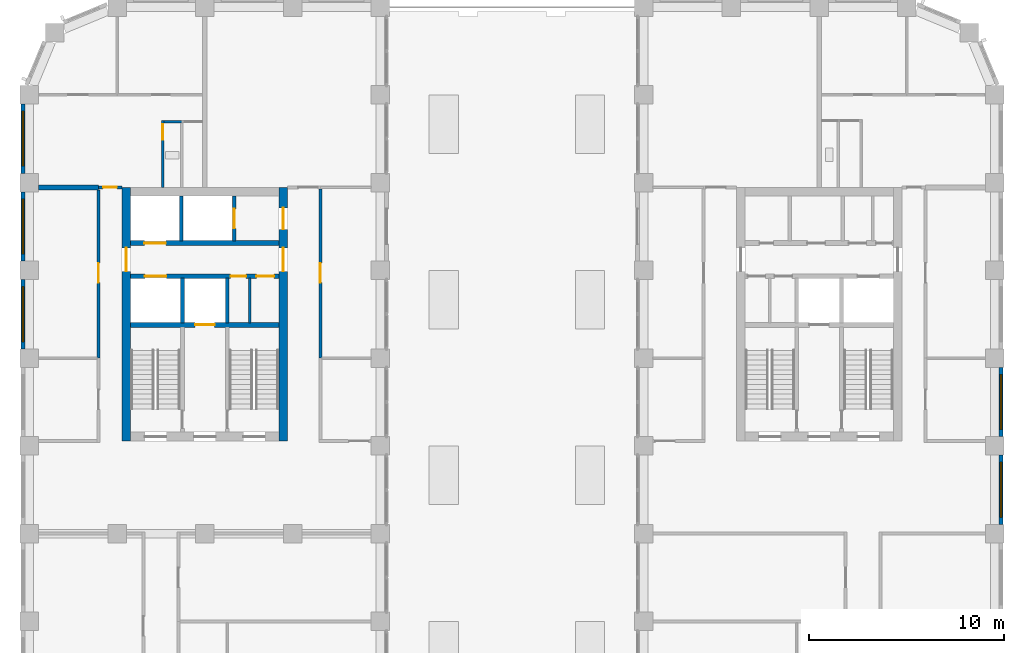
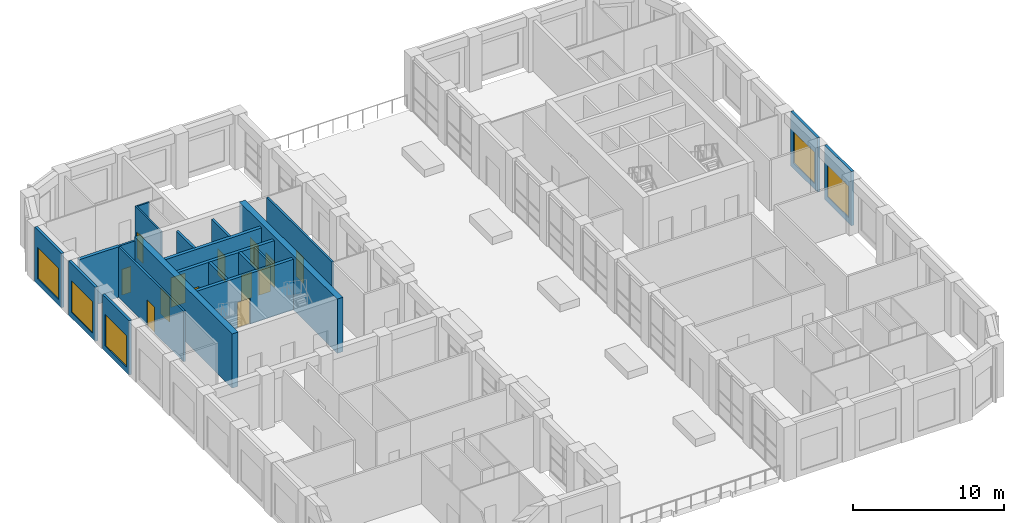
# One storey, part 13 of 20: 21 walls, 13 doors, 5 windows, 18 openings.
"""IFC4 building model written with IfcOpenShell, lengths in metres."""

from ifc_helpers import new_model, si_unit, direction, frame, frame_2d, origin, place, context, subcontext, project, spatial, rectangle, extrude, material, layer, layer_set, type_object, element, fill, save


model = new_model("IFC4")

# Units and contexts
model_context = context("Model", 3, precision=1e-05, world=origin(), true_north=direction((0.0, 1.0)))
body_context = subcontext(model_context, "Body", "Model", "MODEL_VIEW")
ifc_project = project(units=[si_unit("LENGTHUNIT", "METRE"), si_unit("AREAUNIT", "SQUARE_METRE"), si_unit("VOLUMEUNIT", "CUBIC_METRE"), si_unit("PLANEANGLEUNIT", "RADIAN"), si_unit("MASSUNIT", "GRAM", prefix="KILO")], contexts=[model_context])

# Site, building, storey
site_placement = place(None, origin())
site = spatial("IfcSite", under=ifc_project, at=site_placement, CompositionType="ELEMENT")
building_placement = place(site_placement, origin())
building = spatial("IfcBuilding", under=site, at=building_placement, Name="Girih Gate Residences", CompositionType="ELEMENT")
storey_placement = place(building_placement, frame((0.0, 0.0, 146.199951171875)))
storey = spatial("IfcBuildingStorey", under=building, at=storey_placement, Name="L41", CompositionType="ELEMENT", Elevation=146.199951171875)

# Wall
ifc_material_1 = material(Name="Gypsum board on steel studs", Category="steel")
ifc_layer_1 = layer(ifc_material_1, 0.25)
ifc_layer_set_1 = layer_set([ifc_layer_1], Name="Acoustic separating wall 250 mm")
wall_type_1 = type_object("IfcWallType", Name="Acoustic separating wall 250 mm", PredefinedType="PARTITIONING", material=ifc_layer_set_1)
wall_1_placement = place(storey_placement, frame((0.47509765625, 40.25, 0.0), z_axis=(0.0, 0.0, 1.0), x_axis=(1.0, 0.0, 0.0)))
element("IfcWall", 1, at=wall_1_placement, inside=storey, type_object=wall_type_1, Name="L41 partition", PredefinedType="PARTITIONING", context=body_context, shape_type="SweptSolid", body=[
    extrude(rectangle(XDim=3.074951171875, YDim=0.25, at=frame_2d((1.53759765625, 0.0))), origin(), (0.0, 0.0, 1.0), 4.10009765625),
])

# Wall, opening, door
ifc_layer_2 = layer(ifc_material_1, 0.14990234375)
ifc_layer_set_2 = layer_set([ifc_layer_2], Name="Compartment wall 150 mm")
wall_type_2 = type_object("IfcWallType", Name="Compartment wall 150 mm", PredefinedType="PARTITIONING", material=ifc_layer_set_2)
wall_2_placement = place(storey_placement, frame((3.550048828125, 40.25, 0.0), z_axis=(0.0, 0.0, 1.0), x_axis=(1.0, 0.0, 0.0)))
wall_2 = element("IfcWall", 2, at=wall_2_placement, inside=storey, type_object=wall_type_2, Name="L41 partition", PredefinedType="PARTITIONING", context=body_context, shape_type="SweptSolid", body=[
    extrude(rectangle(XDim=1.199951171875, YDim=0.14990234375, at=frame_2d((0.60009765625, 0.0))), origin(), (0.0, 0.0, 1.0), 4.10009765625),
])
opening_1_placement = place(wall_2_placement, frame((0.239990234375, 0.0, 0.0)))
opening_1 = element("IfcOpeningElement", 3, at=opening_1_placement, cuts=wall_2, Name="Opening A41-011", PredefinedType="OPENING", context=body_context, shape_type="SweptSolid", body=[
    extrude(rectangle(XDim=0.699951171875, YDim=2.10009765625, at=frame_2d((0.35009765625, 1.050048828125))), frame((0.0, 0.0849609375, 0.0), z_axis=(0.0, -1.0, 0.0), x_axis=(1.0, 0.0, 0.0)), (0.0, 0.0, 1.0), 0.169921875),
])
ifc_material_2 = material(Name="Timber", Category="wood")
door_type_1 = type_object("IfcDoorType", Name="Narrow door 700x2100", OperationType="NOTDEFINED", PredefinedType="DOOR", material=ifc_material_2)
door_1_placement = place(opening_1_placement, origin())
door_1 = element("IfcDoor", 4, at=door_1_placement, inside=storey, type_object=door_type_1, Name="Door A41-011", OperationType="SINGLE_SWING_LEFT", OverallHeight=2.10009765625, OverallWidth=0.699951171875, PredefinedType="DOOR", context=body_context, shape_type="SweptSolid", body=[
    extrude(rectangle(XDim=0.699951171875, YDim=2.10009765625, at=frame_2d((0.35009765625, 1.050048828125))), frame((0.0, 0.02490234375, 0.0), z_axis=(0.0, -1.0, 0.0), x_axis=(1.0, 0.0, 0.0)), (0.0, 0.0, 1.0), 0.050048828125),
])
fill(opening_1, door_1)

wall_3_placement = place(storey_placement, frame((14.925048828125, 40.175048828125, 0.0), z_axis=(0.0, 0.0, 1.0), x_axis=(0.0, -1.0, 0.0)))
wall_3 = element("IfcWall", 5, at=wall_3_placement, inside=storey, type_object=wall_type_2, Name="L41 partition", PredefinedType="PARTITIONING", context=body_context, shape_type="SweptSolid", body=[
    extrude(rectangle(XDim=8.675048828125, YDim=0.14990234375, at=frame_2d((4.33740234375, 0.0))), origin(), (0.0, 0.0, 1.0), 4.10009765625),
])
opening_2_placement = place(wall_3_placement, frame((3.800048828125, 0.0, 0.0)))
opening_2 = element("IfcOpeningElement", 6, at=opening_2_placement, cuts=wall_3, Name="Opening A41-040", PredefinedType="OPENING", context=body_context, shape_type="SweptSolid", body=[
    extrude(rectangle(XDim=1.0, YDim=2.10009765625, at=frame_2d((0.5, 1.050048828125))), frame((0.0, 0.0849609375, 0.0), z_axis=(0.0, -1.0, 0.0), x_axis=(1.0, 0.0, 0.0)), (0.0, 0.0, 1.0), 0.169921875),
])
ifc_material_3 = material(Name="Timber, fire-rated core", Category="wood")
door_type_2 = type_object("IfcDoorType", Name="Amenity room door 1000x2100 FD30S", OperationType="NOTDEFINED", PredefinedType="DOOR", material=ifc_material_3)
door_2_placement = place(opening_2_placement, origin())
door_2 = element("IfcDoor", 7, at=door_2_placement, inside=storey, type_object=door_type_2, Name="Door A41-040", OperationType="SINGLE_SWING_LEFT", OverallHeight=2.10009765625, OverallWidth=1.0, PredefinedType="DOOR", context=body_context, shape_type="SweptSolid", body=[
    extrude(rectangle(XDim=1.0, YDim=2.10009765625, at=frame_2d((0.5, 1.050048828125))), frame((0.0, 0.02490234375, 0.0), z_axis=(0.0, -1.0, 0.0), x_axis=(1.0, 0.0, 0.0)), (0.0, 0.0, 1.0), 0.050048828125),
])
fill(opening_2, door_2)

wall_4_placement = place(storey_placement, frame((3.550048828125, 31.5, 0.0), z_axis=(0.0, 0.0, 1.0), x_axis=(0.0, 1.0, 0.0)))
wall_4 = element("IfcWall", 8, at=wall_4_placement, inside=storey, type_object=wall_type_2, Name="L41 partition", PredefinedType="PARTITIONING", context=body_context, shape_type="SweptSolid", body=[
    extrude(rectangle(XDim=8.625, YDim=0.14990234375, at=frame_2d((4.3125, 0.0))), origin(), (0.0, 0.0, 1.0), 4.10009765625),
])
opening_3_placement = place(wall_4_placement, frame((3.875, 0.0, 0.0)))
opening_3 = element("IfcOpeningElement", 9, at=opening_3_placement, cuts=wall_4, Name="Opening A41-042", PredefinedType="OPENING", context=body_context, shape_type="SweptSolid", body=[
    extrude(rectangle(XDim=1.0, YDim=2.10009765625, at=frame_2d((0.5, 1.050048828125))), frame((0.0, 0.0849609375, 0.0), z_axis=(0.0, -1.0, 0.0), x_axis=(1.0, 0.0, 0.0)), (0.0, 0.0, 1.0), 0.169921875),
])
door_3_placement = place(opening_3_placement, origin())
door_3 = element("IfcDoor", 10, at=door_3_placement, inside=storey, type_object=door_type_2, Name="Door A41-042", OperationType="SINGLE_SWING_RIGHT", OverallHeight=2.10009765625, OverallWidth=1.0, PredefinedType="DOOR", context=body_context, shape_type="SweptSolid", body=[
    extrude(rectangle(XDim=1.0, YDim=2.10009765625, at=frame_2d((0.5, 1.050048828125))), frame((0.0, 0.02490234375, 0.0), z_axis=(0.0, -1.0, 0.0), x_axis=(1.0, 0.0, 0.0)), (0.0, 0.0, 1.0), 0.050048828125),
])
fill(opening_3, door_3)

ifc_material_4 = material(Name="Concrete C60/75", Category="concrete")
ifc_layer_3 = layer(ifc_material_4, 0.449951171875)
ifc_layer_set_3 = layer_set([ifc_layer_3], Name="Core wall RC 450 Concrete C60/75")
wall_type_3 = type_object("IfcWallType", Name="Core wall RC 450 Concrete C60/75", PredefinedType="SOLIDWALL", material=ifc_layer_set_3)
wall_5_placement = place(storey_placement, frame((4.97509765625, 27.25, 0.0), z_axis=(0.0, 0.0, 1.0), x_axis=(0.0, 1.0, 0.0)))
wall_5 = element("IfcWall", 11, at=wall_5_placement, inside=storey, type_object=wall_type_3, Name="Core wall W-W L41", PredefinedType="SOLIDWALL", context=body_context, shape_type="SweptSolid", body=[
    extrude(rectangle(XDim=13.0, YDim=0.449951171875, at=frame_2d((6.5, 0.0))), origin(), (0.0, 0.0, 1.0), 4.400146484375),
])
opening_4_placement = place(wall_5_placement, frame((8.699951171875, 0.0, 0.0)))
opening_4 = element("IfcOpeningElement", 12, at=opening_4_placement, cuts=wall_5, Name="Opening D-L41-W-013", PredefinedType="OPENING", context=body_context, shape_type="SweptSolid", body=[
    extrude(rectangle(XDim=1.199951171875, YDim=2.10009765625, at=frame_2d((0.60009765625, 1.050048828125))), frame((0.0, 0.23486328125, 0.0), z_axis=(0.0, -1.0, 0.0), x_axis=(1.0, 0.0, 0.0)), (0.0, 0.0, 1.0), 0.469970703125),
])
ifc_material_5 = material(Name="Painted steel, fire-resisting", Category="steel")
door_type_3 = type_object("IfcDoorType", Name="Fire door 1200x2100", OperationType="SINGLE_SWING_LEFT", PredefinedType="DOOR", material=ifc_material_5)
door_4_placement = place(opening_4_placement, origin())
door_4 = element("IfcDoor", 13, at=door_4_placement, inside=storey, type_object=door_type_3, Name="L41 W core door ll-w", OperationType="SINGLE_SWING_LEFT", OverallHeight=2.10009765625, OverallWidth=1.199951171875, PredefinedType="DOOR", context=body_context, shape_type="SweptSolid", body=[
    extrude(rectangle(XDim=1.199951171875, YDim=2.10009765625, at=frame_2d((0.60009765625, 1.050048828125))), frame((0.0, 0.02490234375, 0.0), z_axis=(0.0, -1.0, 0.0), x_axis=(1.0, 0.0, 0.0)), (0.0, 0.0, 1.0), 0.050048828125),
])
fill(opening_4, door_4)

# Wall, openings, doors
wall_6_placement = place(storey_placement, frame((13.02490234375, 27.25, 0.0), z_axis=(0.0, 0.0, 1.0), x_axis=(0.0, 1.0, 0.0)))
wall_6 = element("IfcWall", 14, at=wall_6_placement, inside=storey, type_object=wall_type_3, Name="Core wall W-E L41", PredefinedType="SOLIDWALL", context=body_context, shape_type="SweptSolid", body=[
    extrude(rectangle(XDim=13.0, YDim=0.449951171875, at=frame_2d((6.5, 0.0))), origin(), (0.0, 0.0, 1.0), 4.400146484375),
])
opening_5_placement = place(wall_6_placement, frame((10.85009765625, 0.0, 0.0)))
opening_5 = element("IfcOpeningElement", 15, at=opening_5_placement, cuts=wall_6, Name="Opening D-L41-W-012", PredefinedType="OPENING", context=body_context, shape_type="SweptSolid", body=[
    extrude(rectangle(XDim=1.10009765625, YDim=2.10009765625, at=frame_2d((0.550048828125, 1.050048828125))), frame((0.0, 0.23486328125, 0.0), z_axis=(0.0, -1.0, 0.0), x_axis=(1.0, 0.0, 0.0)), (0.0, 0.0, 1.0), 0.469970703125),
])
opening_6_placement = place(wall_6_placement, frame((8.699951171875, 0.0, 0.0)))
opening_6 = element("IfcOpeningElement", 16, at=opening_6_placement, cuts=wall_6, Name="Opening D-L41-W-014", PredefinedType="OPENING", context=body_context, shape_type="SweptSolid", body=[
    extrude(rectangle(XDim=1.199951171875, YDim=2.10009765625, at=frame_2d((0.60009765625, 1.050048828125))), frame((0.0, 0.23486328125, 0.0), z_axis=(0.0, -1.0, 0.0), x_axis=(1.0, 0.0, 0.0)), (0.0, 0.0, 1.0), 0.469970703125),
])
door_type_4 = type_object("IfcDoorType", Name="Fire door 1100x2100", OperationType="SINGLE_SWING_LEFT", PredefinedType="DOOR", material=ifc_material_5)
door_5_placement = place(opening_5_placement, origin())
door_5 = element("IfcDoor", 17, at=door_5_placement, inside=storey, type_object=door_type_4, Name="L41 W core door ffl2-e", OperationType="SINGLE_SWING_LEFT", OverallHeight=2.10009765625, OverallWidth=1.10009765625, PredefinedType="DOOR", context=body_context, shape_type="SweptSolid", body=[
    extrude(rectangle(XDim=1.10009765625, YDim=2.10009765625, at=frame_2d((0.550048828125, 1.050048828125))), frame((0.0, 0.02490234375, 0.0), z_axis=(0.0, -1.0, 0.0), x_axis=(1.0, 0.0, 0.0)), (0.0, 0.0, 1.0), 0.050048828125),
])
fill(opening_5, door_5)
door_6_placement = place(opening_6_placement, origin())
door_6 = element("IfcDoor", 18, at=door_6_placement, inside=storey, type_object=door_type_3, Name="L41 W core door ll-e", OperationType="SINGLE_SWING_LEFT", OverallHeight=2.10009765625, OverallWidth=1.199951171875, PredefinedType="DOOR", context=body_context, shape_type="SweptSolid", body=[
    extrude(rectangle(XDim=1.199951171875, YDim=2.10009765625, at=frame_2d((0.60009765625, 1.050048828125))), frame((0.0, 0.02490234375, 0.0), z_axis=(0.0, -1.0, 0.0), x_axis=(1.0, 0.0, 0.0)), (0.0, 0.0, 1.0), 0.050048828125),
])
fill(opening_6, door_6)

# Wall, opening, door
ifc_material_6 = material(Name="Concrete C40/50", Category="concrete")
ifc_layer_4 = layer(ifc_material_6, 0.25)
ifc_layer_set_4 = layer_set([ifc_layer_4], Name="Lift shaft wall 250")
wall_type_4 = type_object("IfcWallType", Name="Lift shaft wall 250", PredefinedType="SOLIDWALL", material=ifc_layer_set_4)
wall_7_placement = place(storey_placement, frame((5.199951171875, 33.199951171875, 0.0), z_axis=(0.0, 0.0, 1.0), x_axis=(1.0, 0.0, 0.0)))
wall_7 = element("IfcWall", 19, at=wall_7_placement, inside=storey, type_object=wall_type_4, Name="L41 W core wall H1", PredefinedType="SOLIDWALL", context=body_context, shape_type="SweptSolid", body=[
    extrude(rectangle(XDim=7.60009765625, YDim=0.25, at=frame_2d((3.800048828125, 0.0))), origin(), (0.0, 0.0, 1.0), 4.10009765625),
])
opening_7_placement = place(wall_7_placement, frame((3.300048828125, 0.0, 0.0)))
opening_7 = element("IfcOpeningElement", 20, at=opening_7_placement, cuts=wall_7, Name="Opening D-L41-W-006", PredefinedType="OPENING", context=body_context, shape_type="SweptSolid", body=[
    extrude(rectangle(XDim=1.0, YDim=2.10009765625, at=frame_2d((0.5, 1.050048828125))), frame((0.0, 0.135009765625, 0.0), z_axis=(0.0, -1.0, 0.0), x_axis=(1.0, 0.0, 0.0)), (0.0, 0.0, 1.0), 0.27001953125),
])
ifc_material_7 = material(Name="Stainless steel, fire-resisting", Category="steel")
door_type_5 = type_object("IfcDoorType", Name="Firefighting lift landing door 1000x2100", OperationType="SLIDING_TO_LEFT", PredefinedType="DOOR", material=ifc_material_7)
door_7_placement = place(opening_7_placement, origin())
door_7 = element("IfcDoor", 21, at=door_7_placement, inside=storey, type_object=door_type_5, Name="L41 lift FF-W landing door", OperationType="SLIDING_TO_LEFT", OverallHeight=2.10009765625, OverallWidth=1.0, PredefinedType="DOOR", context=body_context, shape_type="SweptSolid", body=[
    extrude(rectangle(XDim=1.0, YDim=2.10009765625, at=frame_2d((0.5, 1.050048828125))), frame((0.0, 0.02490234375, 0.0), z_axis=(0.0, -1.0, 0.0), x_axis=(1.0, 0.0, 0.0)), (0.0, 0.0, 1.0), 0.050048828125),
])
fill(opening_7, door_7)

# Wall, openings, doors
wall_8_placement = place(storey_placement, frame((5.199951171875, 35.699951171875, 0.0), z_axis=(0.0, 0.0, 1.0), x_axis=(1.0, 0.0, 0.0)))
wall_8 = element("IfcWall", 22, at=wall_8_placement, inside=storey, type_object=wall_type_4, Name="L41 W core wall H2", PredefinedType="SOLIDWALL", context=body_context, shape_type="SweptSolid", body=[
    extrude(rectangle(XDim=7.60009765625, YDim=0.25, at=frame_2d((3.800048828125, 0.0))), origin(), (0.0, 0.0, 1.0), 4.10009765625),
])
opening_8_placement = place(wall_8_placement, frame((0.72509765625, 0.0, 0.0)))
opening_8 = element("IfcOpeningElement", 23, at=opening_8_placement, cuts=wall_8, Name="Opening D-L41-W-005", PredefinedType="OPENING", context=body_context, shape_type="SweptSolid", body=[
    extrude(rectangle(XDim=1.10009765625, YDim=2.39990234375, at=frame_2d((0.550048828125, 1.199951171875))), frame((0.0, 0.135009765625, 0.0), z_axis=(0.0, -1.0, 0.0), x_axis=(1.0, 0.0, 0.0)), (0.0, 0.0, 1.0), 0.27001953125),
])
opening_9_placement = place(wall_8_placement, frame((5.125, 0.0, 0.0)))
opening_9 = element("IfcOpeningElement", 24, at=opening_9_placement, cuts=wall_8, Name="Opening D-L41-W-007", PredefinedType="OPENING", context=body_context, shape_type="SweptSolid", body=[
    extrude(rectangle(XDim=0.800048828125, YDim=2.10009765625, at=frame_2d((0.39990234375, 1.050048828125))), frame((0.0, 0.135009765625, 0.0), z_axis=(0.0, -1.0, 0.0), x_axis=(1.0, 0.0, 0.0)), (0.0, 0.0, 1.0), 0.27001953125),
])
opening_10_placement = place(wall_8_placement, frame((6.449951171875, 0.0, 0.0)))
opening_10 = element("IfcOpeningElement", 25, at=opening_10_placement, cuts=wall_8, Name="Opening D-L41-W-008", PredefinedType="OPENING", context=body_context, shape_type="SweptSolid", body=[
    extrude(rectangle(XDim=0.89990234375, YDim=2.10009765625, at=frame_2d((0.449951171875, 1.050048828125))), frame((0.0, 0.135009765625, 0.0), z_axis=(0.0, -1.0, 0.0), x_axis=(1.0, 0.0, 0.0)), (0.0, 0.0, 1.0), 0.27001953125),
])
door_type_6 = type_object("IfcDoorType", Name="Fire door 800x2100", OperationType="SINGLE_SWING_LEFT", PredefinedType="DOOR", material=ifc_material_5)
door_8_placement = place(opening_9_placement, origin())
door_8 = element("IfcDoor", 26, at=door_8_placement, inside=storey, type_object=door_type_6, Name="L41 W linen store door", OperationType="SINGLE_SWING_LEFT", OverallHeight=2.10009765625, OverallWidth=0.800048828125, PredefinedType="DOOR", context=body_context, shape_type="SweptSolid", body=[
    extrude(rectangle(XDim=0.800048828125, YDim=2.10009765625, at=frame_2d((0.39990234375, 1.050048828125))), frame((0.0, 0.02490234375, 0.0), z_axis=(0.0, -1.0, 0.0), x_axis=(1.0, 0.0, 0.0)), (0.0, 0.0, 1.0), 0.050048828125),
])
fill(opening_9, door_8)
door_type_7 = type_object("IfcDoorType", Name="Fire door 900x2100", OperationType="SINGLE_SWING_LEFT", PredefinedType="DOOR", material=ifc_material_5)
door_9_placement = place(opening_10_placement, origin())
door_9 = element("IfcDoor", 27, at=door_9_placement, inside=storey, type_object=door_type_7, Name="L41 W housekeeping store door", OperationType="SINGLE_SWING_LEFT", OverallHeight=2.10009765625, OverallWidth=0.89990234375, PredefinedType="DOOR", context=body_context, shape_type="SweptSolid", body=[
    extrude(rectangle(XDim=0.89990234375, YDim=2.10009765625, at=frame_2d((0.449951171875, 1.050048828125))), frame((0.0, 0.02490234375, 0.0), z_axis=(0.0, -1.0, 0.0), x_axis=(1.0, 0.0, 0.0)), (0.0, 0.0, 1.0), 0.050048828125),
])
fill(opening_10, door_9)
ifc_material_8 = material(Name="Stainless steel", Category="steel")
door_type_8 = type_object("IfcDoorType", Name="Lift landing door 1100x2400", OperationType="SLIDING_TO_LEFT", PredefinedType="DOOR", material=ifc_material_8)
door_10_placement = place(opening_8_placement, origin())
door_10 = element("IfcDoor", 28, at=door_10_placement, inside=storey, type_object=door_type_8, Name="L41 lift HR-W1 landing door", OperationType="SLIDING_TO_LEFT", OverallHeight=2.39990234375, OverallWidth=1.10009765625, PredefinedType="DOOR", context=body_context, shape_type="SweptSolid", body=[
    extrude(rectangle(XDim=1.10009765625, YDim=2.39990234375, at=frame_2d((0.550048828125, 1.199951171875))), frame((0.0, 0.02490234375, 0.0), z_axis=(0.0, -1.0, 0.0), x_axis=(1.0, 0.0, 0.0)), (0.0, 0.0, 1.0), 0.050048828125),
])
fill(opening_8, door_10)

# Wall, opening, door
wall_9_placement = place(storey_placement, frame((5.199951171875, 37.39990234375, 0.0), z_axis=(0.0, 0.0, 1.0), x_axis=(1.0, 0.0, 0.0)))
wall_9 = element("IfcWall", 29, at=wall_9_placement, inside=storey, type_object=wall_type_4, Name="L41 W core wall H3", PredefinedType="SOLIDWALL", context=body_context, shape_type="SweptSolid", body=[
    extrude(rectangle(XDim=7.60009765625, YDim=0.25, at=frame_2d((3.800048828125, 0.0))), origin(), (0.0, 0.0, 1.0), 4.10009765625),
])
opening_11_placement = place(wall_9_placement, frame((0.699951171875, 0.0, 0.0)))
opening_11 = element("IfcOpeningElement", 30, at=opening_11_placement, cuts=wall_9, Name="Opening D-L41-W-003", PredefinedType="OPENING", context=body_context, shape_type="SweptSolid", body=[
    extrude(rectangle(XDim=1.10009765625, YDim=2.39990234375, at=frame_2d((0.550048828125, 1.199951171875))), frame((0.0, 0.135009765625, 0.0), z_axis=(0.0, -1.0, 0.0), x_axis=(1.0, 0.0, 0.0)), (0.0, 0.0, 1.0), 0.27001953125),
])
door_11_placement = place(opening_11_placement, origin())
door_11 = element("IfcDoor", 31, at=door_11_placement, inside=storey, type_object=door_type_8, Name="L41 lift LR-W1 landing door", OperationType="SLIDING_TO_LEFT", OverallHeight=2.39990234375, OverallWidth=1.10009765625, PredefinedType="DOOR", context=body_context, shape_type="SweptSolid", body=[
    extrude(rectangle(XDim=1.10009765625, YDim=2.39990234375, at=frame_2d((0.550048828125, 1.199951171875))), frame((0.0, 0.02490234375, 0.0), z_axis=(0.0, -1.0, 0.0), x_axis=(1.0, 0.0, 0.0)), (0.0, 0.0, 1.0), 0.050048828125),
])
fill(opening_11, door_11)

# Wall, opening, window
ifc_material_9 = material(Name="Precast concrete C50/60", Category="concrete")
ifc_layer_5 = layer(ifc_material_9, 0.06005859375, Name="Outer leaf")
ifc_material_10 = material(Name="Rigid PIR insulation")
ifc_layer_6 = layer(ifc_material_10, 0.090087890625, Name="Insulation")
ifc_material_11 = material(Name="Precast concrete C40/50", Category="concrete")
ifc_layer_7 = layer(ifc_material_11, 0.050048828125, Name="Inner leaf")
ifc_layer_set_5 = layer_set([ifc_layer_5, ifc_layer_6, ifc_layer_7], Name="Precast concrete C50/60 external wall 200")
wall_type_5 = type_object("IfcWallType", Name="Precast concrete C50/60 external wall 200", PredefinedType="SOLIDWALL", material=ifc_layer_set_5)
wall_10_placement = place(storey_placement, frame((-0.324951171875, 40.97509765625, 0.0), z_axis=(0.0, 0.0, 1.0), x_axis=(0.0, 1.0, 0.0)))
wall_10 = element("IfcWall", 32, at=wall_10_placement, inside=storey, type_object=wall_type_5, Name="External wall W0000_0450.0", PredefinedType="SOLIDWALL", context=body_context, shape_type="SweptSolid", body=[
    extrude(rectangle(XDim=3.5498046875, YDim=0.199951171875, at=frame_2d((1.77490234375, 0.0))), origin(), (0.0, 0.0, 1.0), 4.400146484375),
])
opening_12_placement = place(wall_10_placement, frame((0.375, 0.0, 0.449951171875)))
opening_12 = element("IfcOpeningElement", 33, at=opening_12_placement, cuts=wall_10, Name="Opening W-6A", PredefinedType="OPENING", context=body_context, shape_type="SweptSolid", body=[
    extrude(rectangle(XDim=2.800048828125, YDim=2.550048828125, at=frame_2d((1.39990234375, 1.27490234375))), frame((0.0, 0.10986328125, 0.0), z_axis=(0.0, -1.0, 0.0), x_axis=(1.0, 0.0, 0.0)), (0.0, 0.0, 1.0), 0.219970703125),
])
ifc_material_12 = material(Name="Double glazing in aluminium frame", Category="aluminium")
window_type = type_object("IfcWindowType", Name="Window W-6A 2800x2550", PartitioningType="SINGLE_PANEL", PredefinedType="WINDOW", material=ifc_material_12)
window_1_placement = place(opening_12_placement, origin())
window_1 = element("IfcWindow", 34, at=window_1_placement, inside=storey, type_object=window_type, Name="Window W-6A W0000_0450.0", OverallHeight=2.550048828125, OverallWidth=2.800048828125, PartitioningType="SINGLE_PANEL", PredefinedType="WINDOW", context=body_context, shape_type="SweptSolid", body=[
    extrude(rectangle(XDim=2.800048828125, YDim=2.550048828125, at=frame_2d((1.39990234375, 1.27490234375))), frame((0.0, 0.030029296875, 0.0), z_axis=(0.0, -1.0, 0.0), x_axis=(1.0, 0.0, 0.0)), (0.0, 0.0, 1.0), 0.06005859375),
])
fill(opening_12, window_1)

wall_11_placement = place(storey_placement, frame((-0.324951171875, 36.47509765625, 0.0), z_axis=(0.0, 0.0, 1.0), x_axis=(0.0, 1.0, 0.0)))
wall_11 = element("IfcWall", 35, at=wall_11_placement, inside=storey, type_object=wall_type_5, Name="External wall W0000_0450.1", PredefinedType="SOLIDWALL", context=body_context, shape_type="SweptSolid", body=[
    extrude(rectangle(XDim=3.5498046875, YDim=0.199951171875, at=frame_2d((1.77490234375, 0.0))), origin(), (0.0, 0.0, 1.0), 4.400146484375),
])
opening_13_placement = place(wall_11_placement, frame((0.375, 0.0, 0.449951171875)))
opening_13 = element("IfcOpeningElement", 36, at=opening_13_placement, cuts=wall_11, Name="Opening W-6A", PredefinedType="OPENING", context=body_context, shape_type="SweptSolid", body=[
    extrude(rectangle(XDim=2.800048828125, YDim=2.550048828125, at=frame_2d((1.39990234375, 1.27490234375))), frame((0.0, 0.10986328125, 0.0), z_axis=(0.0, -1.0, 0.0), x_axis=(1.0, 0.0, 0.0)), (0.0, 0.0, 1.0), 0.219970703125),
])
window_2_placement = place(opening_13_placement, origin())
window_2 = element("IfcWindow", 37, at=window_2_placement, inside=storey, type_object=window_type, Name="Window W-6A W0000_0450.1", OverallHeight=2.550048828125, OverallWidth=2.800048828125, PartitioningType="SINGLE_PANEL", PredefinedType="WINDOW", context=body_context, shape_type="SweptSolid", body=[
    extrude(rectangle(XDim=2.800048828125, YDim=2.550048828125, at=frame_2d((1.39990234375, 1.27490234375))), frame((0.0, 0.030029296875, 0.0), z_axis=(0.0, -1.0, 0.0), x_axis=(1.0, 0.0, 0.0)), (0.0, 0.0, 1.0), 0.06005859375),
])
fill(opening_13, window_2)

wall_12_placement = place(storey_placement, frame((-0.324951171875, 31.97509765625, 0.0), z_axis=(0.0, 0.0, 1.0), x_axis=(0.0, 1.0, 0.0)))
wall_12 = element("IfcWall", 38, at=wall_12_placement, inside=storey, type_object=wall_type_5, Name="External wall W0000_0450.2", PredefinedType="SOLIDWALL", context=body_context, shape_type="SweptSolid", body=[
    extrude(rectangle(XDim=3.5498046875, YDim=0.199951171875, at=frame_2d((1.77490234375, 0.0))), origin(), (0.0, 0.0, 1.0), 4.400146484375),
])
opening_14_placement = place(wall_12_placement, frame((0.375, 0.0, 0.449951171875)))
opening_14 = element("IfcOpeningElement", 39, at=opening_14_placement, cuts=wall_12, Name="Opening W-6A", PredefinedType="OPENING", context=body_context, shape_type="SweptSolid", body=[
    extrude(rectangle(XDim=2.800048828125, YDim=2.550048828125, at=frame_2d((1.39990234375, 1.27490234375))), frame((0.0, 0.10986328125, 0.0), z_axis=(0.0, -1.0, 0.0), x_axis=(1.0, 0.0, 0.0)), (0.0, 0.0, 1.0), 0.219970703125),
])
window_3_placement = place(opening_14_placement, origin())
window_3 = element("IfcWindow", 40, at=window_3_placement, inside=storey, type_object=window_type, Name="Window W-6A W0000_0450.2", OverallHeight=2.550048828125, OverallWidth=2.800048828125, PartitioningType="SINGLE_PANEL", PredefinedType="WINDOW", context=body_context, shape_type="SweptSolid", body=[
    extrude(rectangle(XDim=2.800048828125, YDim=2.550048828125, at=frame_2d((1.39990234375, 1.27490234375))), frame((0.0, 0.030029296875, 0.0), z_axis=(0.0, -1.0, 0.0), x_axis=(1.0, 0.0, 0.0)), (0.0, 0.0, 1.0), 0.06005859375),
])
fill(opening_14, window_3)

wall_13_placement = place(storey_placement, frame((49.824951171875, 26.52490234375, 0.0), z_axis=(0.0, 0.0, 1.0), x_axis=(0.0, -1.0, 0.0)))
wall_13 = element("IfcWall", 41, at=wall_13_placement, inside=storey, type_object=wall_type_5, Name="External wall E0495_0045.4", PredefinedType="SOLIDWALL", context=body_context, shape_type="SweptSolid", body=[
    extrude(rectangle(XDim=3.5498046875, YDim=0.199951171875, at=frame_2d((1.77490234375, 0.0))), origin(), (0.0, 0.0, 1.0), 4.400146484375),
])
opening_15_placement = place(wall_13_placement, frame((0.375, 0.0, 0.449951171875)))
opening_15 = element("IfcOpeningElement", 42, at=opening_15_placement, cuts=wall_13, Name="Opening W-6A", PredefinedType="OPENING", context=body_context, shape_type="SweptSolid", body=[
    extrude(rectangle(XDim=2.800048828125, YDim=2.550048828125, at=frame_2d((1.39990234375, 1.27490234375))), frame((0.0, 0.10986328125, 0.0), z_axis=(0.0, -1.0, 0.0), x_axis=(1.0, 0.0, 0.0)), (0.0, 0.0, 1.0), 0.219970703125),
])
window_4_placement = place(opening_15_placement, origin())
window_4 = element("IfcWindow", 43, at=window_4_placement, inside=storey, type_object=window_type, Name="Window W-6A E0495_0045.4", OverallHeight=2.550048828125, OverallWidth=2.800048828125, PartitioningType="SINGLE_PANEL", PredefinedType="WINDOW", context=body_context, shape_type="SweptSolid", body=[
    extrude(rectangle(XDim=2.800048828125, YDim=2.550048828125, at=frame_2d((1.39990234375, 1.27490234375))), frame((0.0, 0.030029296875, 0.0), z_axis=(0.0, -1.0, 0.0), x_axis=(1.0, 0.0, 0.0)), (0.0, 0.0, 1.0), 0.06005859375),
])
fill(opening_15, window_4)

wall_14_placement = place(storey_placement, frame((49.824951171875, 31.02490234375, 0.0), z_axis=(0.0, 0.0, 1.0), x_axis=(0.0, -1.0, 0.0)))
wall_14 = element("IfcWall", 44, at=wall_14_placement, inside=storey, type_object=wall_type_5, Name="External wall E0495_0045.5", PredefinedType="SOLIDWALL", context=body_context, shape_type="SweptSolid", body=[
    extrude(rectangle(XDim=3.5498046875, YDim=0.199951171875, at=frame_2d((1.77490234375, 0.0))), origin(), (0.0, 0.0, 1.0), 4.400146484375),
])
opening_16_placement = place(wall_14_placement, frame((0.375, 0.0, 0.449951171875)))
opening_16 = element("IfcOpeningElement", 45, at=opening_16_placement, cuts=wall_14, Name="Opening W-6A", PredefinedType="OPENING", context=body_context, shape_type="SweptSolid", body=[
    extrude(rectangle(XDim=2.800048828125, YDim=2.550048828125, at=frame_2d((1.39990234375, 1.27490234375))), frame((0.0, 0.10986328125, 0.0), z_axis=(0.0, -1.0, 0.0), x_axis=(1.0, 0.0, 0.0)), (0.0, 0.0, 1.0), 0.219970703125),
])
window_5_placement = place(opening_16_placement, origin())
window_5 = element("IfcWindow", 46, at=window_5_placement, inside=storey, type_object=window_type, Name="Window W-6A E0495_0045.5", OverallHeight=2.550048828125, OverallWidth=2.800048828125, PartitioningType="SINGLE_PANEL", PredefinedType="WINDOW", context=body_context, shape_type="SweptSolid", body=[
    extrude(rectangle(XDim=2.800048828125, YDim=2.550048828125, at=frame_2d((1.39990234375, 1.27490234375))), frame((0.0, 0.030029296875, 0.0), z_axis=(0.0, -1.0, 0.0), x_axis=(1.0, 0.0, 0.0)), (0.0, 0.0, 1.0), 0.06005859375),
])
fill(opening_16, window_5)

# Wall
ifc_layer_8 = layer(ifc_material_6, 0.175048828125)
ifc_layer_set_6 = layer_set([ifc_layer_8], Name="Riser shaft wall 175")
wall_type_6 = type_object("IfcWallType", Name="Riser shaft wall 175", PredefinedType="SOLIDWALL", material=ifc_layer_set_6)
wall_15_placement = place(storey_placement, frame((7.800048828125, 37.5, 0.0), z_axis=(0.0, 0.0, 1.0), x_axis=(0.0, 1.0, 0.0)))
element("IfcWall", 47, at=wall_15_placement, inside=storey, type_object=wall_type_6, Name="L41 W core wall V1c", PredefinedType="SOLIDWALL", context=body_context, shape_type="SweptSolid", body=[
    extrude(rectangle(XDim=2.300048828125, YDim=0.175048828125, at=frame_2d((1.14990234375, 0.0))), origin(), (0.0, 0.0, 1.0), 4.10009765625),
])

# Wall, opening, door
wall_16_placement = place(storey_placement, frame((10.5, 37.5, 0.0), z_axis=(0.0, 0.0, 1.0), x_axis=(0.0, 1.0, 0.0)))
wall_16 = element("IfcWall", 48, at=wall_16_placement, inside=storey, type_object=wall_type_6, Name="L41 W core wall V2c", PredefinedType="SOLIDWALL", context=body_context, shape_type="SweptSolid", body=[
    extrude(rectangle(XDim=2.300048828125, YDim=0.175048828125, at=frame_2d((1.14990234375, 0.0))), origin(), (0.0, 0.0, 1.0), 4.10009765625),
])
opening_17_placement = place(wall_16_placement, frame((0.64990234375, 0.0, 0.0)))
opening_17 = element("IfcOpeningElement", 49, at=opening_17_placement, cuts=wall_16, Name="Opening D-L41-W-004", PredefinedType="OPENING", context=body_context, shape_type="SweptSolid", body=[
    extrude(rectangle(XDim=1.0, YDim=2.10009765625, at=frame_2d((0.5, 1.050048828125))), frame((0.0, 0.097412109375, 0.0), z_axis=(0.0, -1.0, 0.0), x_axis=(1.0, 0.0, 0.0)), (0.0, 0.0, 1.0), 0.195068359375),
])
door_12_placement = place(opening_17_placement, origin())
door_12 = element("IfcDoor", 50, at=door_12_placement, inside=storey, type_object=door_type_5, Name="L41 lift FF-W2 landing door", OperationType="SLIDING_TO_LEFT", OverallHeight=2.10009765625, OverallWidth=1.0, PredefinedType="DOOR", context=body_context, shape_type="SweptSolid", body=[
    extrude(rectangle(XDim=1.0, YDim=2.10009765625, at=frame_2d((0.5, 1.050048828125))), frame((0.0, 0.02490234375, 0.0), z_axis=(0.0, -1.0, 0.0), x_axis=(1.0, 0.0, 0.0)), (0.0, 0.0, 1.0), 0.050048828125),
])
fill(opening_17, door_12)

# Walls
ifc_layer_9 = layer(ifc_material_6, 0.199951171875)
ifc_layer_set_7 = layer_set([ifc_layer_9], Name="Shaft wall 200")
wall_type_7 = type_object("IfcWallType", Name="Shaft wall 200", PredefinedType="SOLIDWALL", material=ifc_layer_set_7)
for number, where, z_axis, x_axis, name in (
    (51, (7.85009765625, 33.300048828125, 0.0), (0.0, 0.0, 1.0), (0.0, 1.0, 0.0), "L41 W core wall V1b"),
    (52, (10.14990234375, 33.300048828125, 0.0), (0.0, 0.0, 1.0), (0.0, 1.0, 0.0), "L41 W core wall V2b"),
):
    element("IfcWall", number, at=place(storey_placement, frame(where, z_axis=z_axis, x_axis=x_axis)), inside=storey, type_object=wall_type_7, Name=name, PredefinedType="SOLIDWALL", context=body_context, shape_type="SweptSolid", body=[
        extrude(rectangle(XDim=2.300048828125, YDim=0.199951171875, at=frame_2d((1.14990234375, 0.0))), origin(), (0.0, 0.0, 1.0), 4.10009765625),
    ])
ifc_material_13 = material(Name="Calcium silicate blockwork", Category="masonry")
ifc_layer_10 = layer(ifc_material_13, 0.125)
ifc_layer_set_8 = layer_set([ifc_layer_10], Name="Store partition 125")
wall_type_8 = type_object("IfcWallType", Name="Store partition 125", PredefinedType="PARTITIONING", material=ifc_layer_set_8)
wall_17_placement = place(storey_placement, frame((11.300048828125, 33.300048828125, 0.0), z_axis=(0.0, 0.0, 1.0), x_axis=(0.0, 1.0, 0.0)))
element("IfcWall", 53, at=wall_17_placement, inside=storey, type_object=wall_type_8, Name="L41 W core wall SHR2", PredefinedType="PARTITIONING", context=body_context, shape_type="SweptSolid", body=[
    extrude(rectangle(XDim=2.300048828125, YDim=0.125, at=frame_2d((1.14990234375, 0.0))), origin(), (0.0, 0.0, 1.0), 4.10009765625),
])

# Wall, opening, door
ifc_layer_11 = layer(ifc_material_1, 0.125)
ifc_layer_set_9 = layer_set([ifc_layer_11], Name="Wet room wall 125 mm")
wall_type_9 = type_object("IfcWallType", Name="Wet room wall 125 mm", PredefinedType="PARTITIONING", material=ifc_layer_set_9)
wall_18_placement = place(storey_placement, frame((6.85009765625, 43.6826171875, 0.0), z_axis=(0.0, 0.0, 1.0), x_axis=(0.0, -1.0, 0.0)))
wall_18 = element("IfcWall", 54, at=wall_18_placement, inside=storey, type_object=wall_type_9, Name="L41 partition", PredefinedType="PARTITIONING", context=body_context, shape_type="SweptSolid", body=[
    extrude(rectangle(XDim=3.4326171875, YDim=0.125, at=frame_2d((1.71630859375, 0.0))), origin(), (0.0, 0.0, 1.0), 4.10009765625),
])
opening_18_placement = place(wall_18_placement, frame((0.1826171875, 0.0, 0.0)))
opening_18 = element("IfcOpeningElement", 55, at=opening_18_placement, cuts=wall_18, Name="Opening A41-007", PredefinedType="OPENING", context=body_context, shape_type="SweptSolid", body=[
    extrude(rectangle(XDim=0.800048828125, YDim=2.10009765625, at=frame_2d((0.39990234375, 1.050048828125))), frame((0.0, 0.072509765625, 0.0), z_axis=(0.0, -1.0, 0.0), x_axis=(1.0, 0.0, 0.0)), (0.0, 0.0, 1.0), 0.14501953125),
])
door_type_9 = type_object("IfcDoorType", Name="Bathroom door 800x2100", OperationType="NOTDEFINED", PredefinedType="DOOR", material=ifc_material_2)
door_13_placement = place(opening_18_placement, origin())
door_13 = element("IfcDoor", 56, at=door_13_placement, inside=storey, type_object=door_type_9, Name="Door A41-007", OperationType="SINGLE_SWING_LEFT", OverallHeight=2.10009765625, OverallWidth=0.800048828125, PredefinedType="DOOR", context=body_context, shape_type="SweptSolid", body=[
    extrude(rectangle(XDim=0.800048828125, YDim=2.10009765625, at=frame_2d((0.39990234375, 1.050048828125))), frame((0.0, 0.02490234375, 0.0), z_axis=(0.0, -1.0, 0.0), x_axis=(1.0, 0.0, 0.0)), (0.0, 0.0, 1.0), 0.050048828125),
])
fill(opening_18, door_13)

# Wall
wall_19_placement = place(storey_placement, frame((6.91259765625, 43.6201171875, 0.0), z_axis=(0.0, 0.0, 1.0), x_axis=(1.0, 0.0, 0.0)))
element("IfcWall", 57, at=wall_19_placement, inside=storey, type_object=wall_type_9, Name="L41 partition", PredefinedType="PARTITIONING", context=body_context, shape_type="SweptSolid", body=[
    extrude(rectangle(XDim=0.914794921875, YDim=0.125, at=frame_2d((0.45751953125, 0.0))), origin(), (0.0, 0.0, 1.0), 4.10009765625),
])

save(model, "model.ifc")
